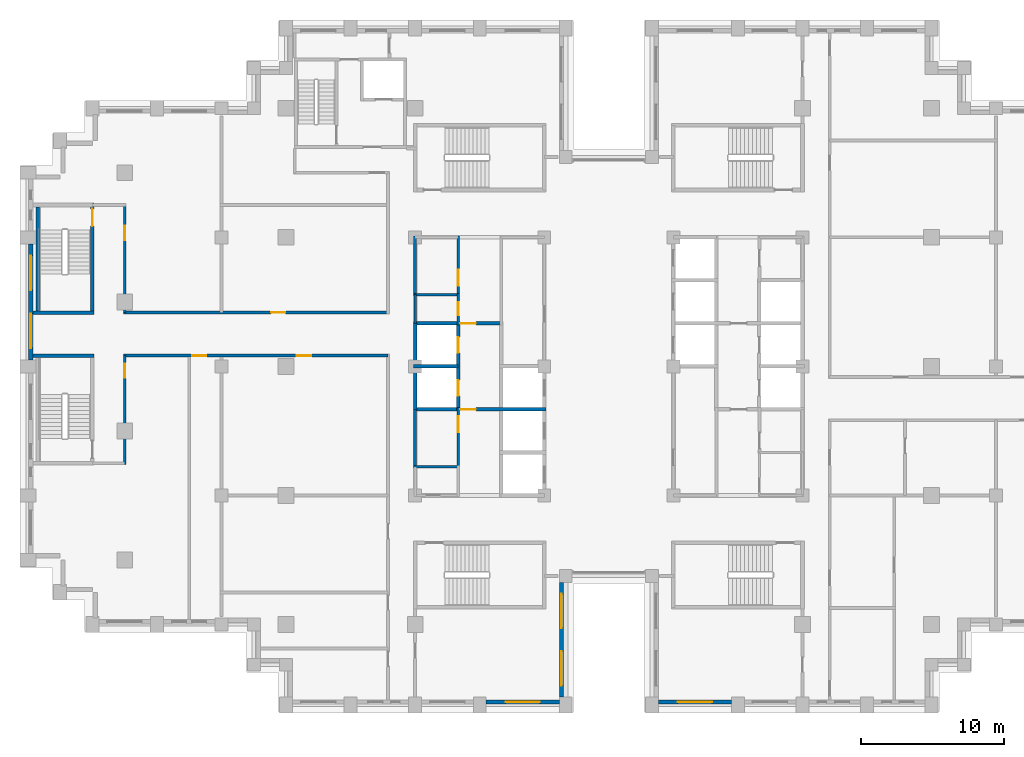
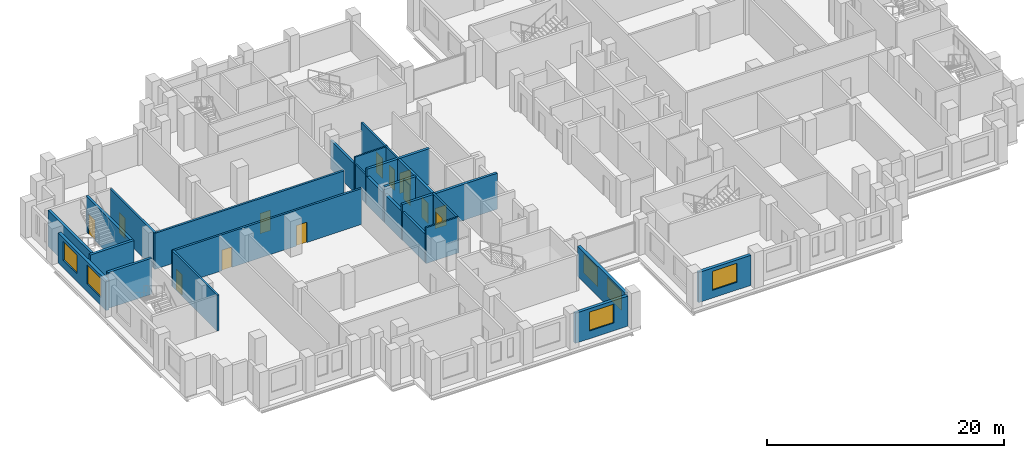
# One storey, part 7 of 15: 25 walls, 13 doors, 6 windows, 19 openings.
"""IFC4 building model written with IfcOpenShell, lengths in metres."""

from ifc_helpers import new_model, si_unit, direction, frame, frame_2d, origin, place, context, subcontext, project, spatial, rectangle, extrude, material, layer, layer_set, type_object, element, fill, save


model = new_model("IFC4")

# Units and contexts
model_context = context("Model", 3, precision=1e-05, world=origin(), true_north=direction((0.0, 1.0)))
body_context = subcontext(model_context, "Body", "Model", "MODEL_VIEW")
ifc_project = project(units=[si_unit("LENGTHUNIT", "METRE"), si_unit("AREAUNIT", "SQUARE_METRE"), si_unit("VOLUMEUNIT", "CUBIC_METRE"), si_unit("PLANEANGLEUNIT", "RADIAN"), si_unit("MASSUNIT", "GRAM", prefix="KILO")], contexts=[model_context])

# Site, building, storey
site_placement = place(None, origin())
site = spatial("IfcSite", under=ifc_project, at=site_placement, CompositionType="ELEMENT")
building_placement = place(site_placement, origin())
building = spatial("IfcBuilding", under=site, at=building_placement, Name="Corbelhall Arena Tower", CompositionType="ELEMENT")
storey_placement = place(building_placement, frame((0.0, 0.0, 146.0)))
storey = spatial("IfcBuildingStorey", under=building, at=storey_placement, Name="L28", CompositionType="ELEMENT", Elevation=146.0)

# Wall, openings, windows
ifc_material_1 = material(Name="Precast concrete C40/50 with granite facing", Category="masonry")
ifc_layer_1 = layer(ifc_material_1, 0.300048828125)
ifc_layer_set_1 = layer_set([ifc_layer_1], Name="EV-IW1 Infill panel 300")
wall_type_1 = type_object("IfcWallType", Name="EV-IW1 Infill panel 300", PredefinedType="SOLIDWALL", material=ifc_layer_set_1)
wall_1_placement = place(storey_placement, frame((-40.300048828125, 8.550048828125, 0.0), z_axis=(0.0, 0.0, 1.0), x_axis=(0.0, -1.0, 0.0)))
wall_1 = element("IfcWall", 1, at=wall_1_placement, inside=storey, type_object=wall_type_1, Name="Infill panel IW1", PredefinedType="SOLIDWALL", context=body_context, shape_type="SweptSolid", body=[
    extrude(rectangle(XDim=8.10009765625, YDim=0.300048828125, at=frame_2d((4.050048828125, 0.0))), origin(), (0.0, 0.0, 1.0), 3.10009765625),
])
opening_1_placement = place(wall_1_placement, frame((0.824951171875, 0.0, 0.800048828125)))
opening_1 = element("IfcOpeningElement", 2, at=opening_1_placement, cuts=wall_1, Name="Opening WN1", PredefinedType="OPENING", context=body_context, shape_type="SweptSolid", body=[
    extrude(rectangle(XDim=2.39990234375, YDim=1.949951171875, at=frame_2d((1.199951171875, 0.97509765625))), frame((0.0, 0.14990234375, 0.0), z_axis=(0.0, -1.0, 0.0), x_axis=(1.0, 0.0, 0.0)), (0.0, 0.0, 1.0), 0.300048828125),
])
opening_2_placement = place(wall_1_placement, frame((4.875, 0.0, 0.800048828125)))
opening_2 = element("IfcOpeningElement", 3, at=opening_2_placement, cuts=wall_1, Name="Opening WN1", PredefinedType="OPENING", context=body_context, shape_type="SweptSolid", body=[
    extrude(rectangle(XDim=2.39990234375, YDim=1.949951171875, at=frame_2d((1.199951171875, 0.97509765625))), frame((0.0, 0.14990234375, 0.0), z_axis=(0.0, -1.0, 0.0), x_axis=(1.0, 0.0, 0.0)), (0.0, 0.0, 1.0), 0.300048828125),
])
ifc_material_2 = material(Name="Aluminium black anodised", Category="aluminium")
window_type = type_object("IfcWindowType", Name="EV-WN1 Office window", PartitioningType="SINGLE_PANEL", PredefinedType="WINDOW", material=ifc_material_2)
window_1_placement = place(opening_1_placement, origin())
window_1 = element("IfcWindow", 4, at=window_1_placement, inside=storey, type_object=window_type, Name="Window WN1", OverallHeight=1.949951171875, OverallWidth=2.39990234375, PartitioningType="SINGLE_PANEL", PredefinedType="WINDOW", context=body_context, shape_type="SweptSolid", body=[
    extrude(rectangle(XDim=2.39990234375, YDim=1.949951171875, at=frame_2d((1.199951171875, 0.97509765625))), frame((0.0, 0.030029296875, 0.0), z_axis=(0.0, -1.0, 0.0), x_axis=(1.0, 0.0, 0.0)), (0.0, 0.0, 1.0), 0.06005859375),
])
fill(opening_1, window_1)
window_2_placement = place(opening_2_placement, origin())
window_2 = element("IfcWindow", 5, at=window_2_placement, inside=storey, type_object=window_type, Name="Window WN1", OverallHeight=1.949951171875, OverallWidth=2.39990234375, PartitioningType="SINGLE_PANEL", PredefinedType="WINDOW", context=body_context, shape_type="SweptSolid", body=[
    extrude(rectangle(XDim=2.39990234375, YDim=1.949951171875, at=frame_2d((1.199951171875, 0.97509765625))), frame((0.0, 0.030029296875, 0.0), z_axis=(0.0, -1.0, 0.0), x_axis=(1.0, 0.0, 0.0)), (0.0, 0.0, 1.0), 0.06005859375),
])
fill(opening_2, window_2)

# Wall, opening, window
wall_2_placement = place(storey_placement, frame((-8.550048828125, -23.39990234375, 0.0), z_axis=(0.0, 0.0, 1.0), x_axis=(1.0, 0.0, 0.0)))
wall_2 = element("IfcWall", 6, at=wall_2_placement, inside=storey, type_object=wall_type_1, Name="Infill panel IW1", PredefinedType="SOLIDWALL", context=body_context, shape_type="SweptSolid", body=[
    extrude(rectangle(XDim=5.10009765625, YDim=0.300048828125, at=frame_2d((2.550048828125, 0.0))), origin(), (0.0, 0.0, 1.0), 3.10009765625),
])
opening_3_placement = place(wall_2_placement, frame((1.35009765625, 0.0, 0.800048828125)))
opening_3 = element("IfcOpeningElement", 7, at=opening_3_placement, cuts=wall_2, Name="Opening WN1", PredefinedType="OPENING", context=body_context, shape_type="SweptSolid", body=[
    extrude(rectangle(XDim=2.39990234375, YDim=1.949951171875, at=frame_2d((1.199951171875, 0.97509765625))), frame((0.0, 0.14990234375, 0.0), z_axis=(0.0, -1.0, 0.0), x_axis=(1.0, 0.0, 0.0)), (0.0, 0.0, 1.0), 0.300048828125),
])
window_3_placement = place(opening_3_placement, origin())
window_3 = element("IfcWindow", 8, at=window_3_placement, inside=storey, type_object=window_type, Name="Window WN1", OverallHeight=1.949951171875, OverallWidth=2.39990234375, PartitioningType="SINGLE_PANEL", PredefinedType="WINDOW", context=body_context, shape_type="SweptSolid", body=[
    extrude(rectangle(XDim=2.39990234375, YDim=1.949951171875, at=frame_2d((1.199951171875, 0.97509765625))), frame((0.0, 0.030029296875, 0.0), z_axis=(0.0, -1.0, 0.0), x_axis=(1.0, 0.0, 0.0)), (0.0, 0.0, 1.0), 0.06005859375),
])
fill(opening_3, window_3)

# Wall, openings, windows
wall_3_placement = place(storey_placement, frame((-3.300048828125, -23.050048828125, 0.0), z_axis=(0.0, 0.0, 1.0), x_axis=(0.0, 1.0, 0.0)))
wall_3 = element("IfcWall", 9, at=wall_3_placement, inside=storey, type_object=wall_type_1, Name="Infill panel IW1", PredefinedType="SOLIDWALL", context=body_context, shape_type="SweptSolid", body=[
    extrude(rectangle(XDim=8.0, YDim=0.300048828125, at=frame_2d((4.0, 0.0))), origin(), (0.0, 0.0, 1.0), 3.10009765625),
])
opening_4_placement = place(wall_3_placement, frame((0.800048828125, 0.0, 0.800048828125)))
opening_4 = element("IfcOpeningElement", 10, at=opening_4_placement, cuts=wall_3, Name="Opening WN1", PredefinedType="OPENING", context=body_context, shape_type="SweptSolid", body=[
    extrude(rectangle(XDim=2.39990234375, YDim=1.949951171875, at=frame_2d((1.199951171875, 0.97509765625))), frame((0.0, 0.14990234375, 0.0), z_axis=(0.0, -1.0, 0.0), x_axis=(1.0, 0.0, 0.0)), (0.0, 0.0, 1.0), 0.300048828125),
])
opening_5_placement = place(wall_3_placement, frame((4.800048828125, 0.0, 0.800048828125)))
opening_5 = element("IfcOpeningElement", 11, at=opening_5_placement, cuts=wall_3, Name="Opening WN1", PredefinedType="OPENING", context=body_context, shape_type="SweptSolid", body=[
    extrude(rectangle(XDim=2.39990234375, YDim=1.949951171875, at=frame_2d((1.199951171875, 0.97509765625))), frame((0.0, 0.14990234375, 0.0), z_axis=(0.0, -1.0, 0.0), x_axis=(1.0, 0.0, 0.0)), (0.0, 0.0, 1.0), 0.300048828125),
])
window_4_placement = place(opening_4_placement, origin())
window_4 = element("IfcWindow", 12, at=window_4_placement, inside=storey, type_object=window_type, Name="Window WN1", OverallHeight=1.949951171875, OverallWidth=2.39990234375, PartitioningType="SINGLE_PANEL", PredefinedType="WINDOW", context=body_context, shape_type="SweptSolid", body=[
    extrude(rectangle(XDim=2.39990234375, YDim=1.949951171875, at=frame_2d((1.199951171875, 0.97509765625))), frame((0.0, 0.030029296875, 0.0), z_axis=(0.0, -1.0, 0.0), x_axis=(1.0, 0.0, 0.0)), (0.0, 0.0, 1.0), 0.06005859375),
])
fill(opening_4, window_4)
window_5_placement = place(opening_5_placement, origin())
window_5 = element("IfcWindow", 13, at=window_5_placement, inside=storey, type_object=window_type, Name="Window WN1", OverallHeight=1.949951171875, OverallWidth=2.39990234375, PartitioningType="SINGLE_PANEL", PredefinedType="WINDOW", context=body_context, shape_type="SweptSolid", body=[
    extrude(rectangle(XDim=2.39990234375, YDim=1.949951171875, at=frame_2d((1.199951171875, 0.97509765625))), frame((0.0, 0.030029296875, 0.0), z_axis=(0.0, -1.0, 0.0), x_axis=(1.0, 0.0, 0.0)), (0.0, 0.0, 1.0), 0.06005859375),
])
fill(opening_5, window_5)

# Wall, opening, window
wall_4_placement = place(storey_placement, frame((3.449951171875, -23.39990234375, 0.0), z_axis=(0.0, 0.0, 1.0), x_axis=(1.0, 0.0, 0.0)))
wall_4 = element("IfcWall", 14, at=wall_4_placement, inside=storey, type_object=wall_type_1, Name="Infill panel IW1", PredefinedType="SOLIDWALL", context=body_context, shape_type="SweptSolid", body=[
    extrude(rectangle(XDim=5.10009765625, YDim=0.300048828125, at=frame_2d((2.550048828125, 0.0))), origin(), (0.0, 0.0, 1.0), 3.10009765625),
])
opening_6_placement = place(wall_4_placement, frame((1.35009765625, 0.0, 0.800048828125)))
opening_6 = element("IfcOpeningElement", 15, at=opening_6_placement, cuts=wall_4, Name="Opening WN1", PredefinedType="OPENING", context=body_context, shape_type="SweptSolid", body=[
    extrude(rectangle(XDim=2.39990234375, YDim=1.949951171875, at=frame_2d((1.199951171875, 0.97509765625))), frame((0.0, 0.14990234375, 0.0), z_axis=(0.0, -1.0, 0.0), x_axis=(1.0, 0.0, 0.0)), (0.0, 0.0, 1.0), 0.300048828125),
])
window_6_placement = place(opening_6_placement, origin())
window_6 = element("IfcWindow", 16, at=window_6_placement, inside=storey, type_object=window_type, Name="Window WN1", OverallHeight=1.949951171875, OverallWidth=2.39990234375, PartitioningType="SINGLE_PANEL", PredefinedType="WINDOW", context=body_context, shape_type="SweptSolid", body=[
    extrude(rectangle(XDim=2.39990234375, YDim=1.949951171875, at=frame_2d((1.199951171875, 0.97509765625))), frame((0.0, 0.030029296875, 0.0), z_axis=(0.0, -1.0, 0.0), x_axis=(1.0, 0.0, 0.0)), (0.0, 0.0, 1.0), 0.06005859375),
])
fill(opening_6, window_6)

# Wall, opening, door
ifc_material_3 = material(Name="Gypsum board on steel stud, acoustic", Category="steel")
ifc_layer_2 = layer(ifc_material_3, 0.199951171875)
ifc_layer_set_2 = layer_set([ifc_layer_2], Name="IN-W-DM200")
wall_type_2 = type_object("IfcWallType", Name="IN-W-DM200", PredefinedType="PARTITIONING", material=ifc_layer_set_2)
wall_5_placement = place(storey_placement, frame((-33.85009765625, 3.75, 0.0), z_axis=(0.0, 0.0, 1.0), x_axis=(1.0, 0.0, 0.0)))
wall_5 = element("IfcWall", 17, at=wall_5_placement, inside=storey, type_object=wall_type_2, Name="Partition 002", PredefinedType="PARTITIONING", context=body_context, shape_type="SweptSolid", body=[
    extrude(rectangle(XDim=18.4501953125, YDim=0.199951171875, at=frame_2d((9.22509765625, 0.0))), origin(), (0.0, 0.0, 1.0), 3.699951171875),
])
opening_7_placement = place(wall_5_placement, frame((10.300048828125, 0.0, 0.0)))
opening_7 = element("IfcOpeningElement", 18, at=opening_7_placement, cuts=wall_5, Name="Opening 07026", PredefinedType="OPENING", context=body_context, shape_type="SweptSolid", body=[
    extrude(rectangle(XDim=1.0, YDim=2.10009765625, at=frame_2d((0.5, 1.050048828125))), frame((0.0, 0.10009765625, 0.0), z_axis=(0.0, -1.0, 0.0), x_axis=(1.0, 0.0, 0.0)), (0.0, 0.0, 1.0), 0.199951171875),
])
ifc_material_4 = material(Name="Steel door set", Category="steel")
door_type_1 = type_object("IfcDoorType", Name="IN-D-SW100", OperationType="NOTDEFINED", PredefinedType="DOOR", material=ifc_material_4)
door_1_placement = place(opening_7_placement, origin())
door_1 = element("IfcDoor", 19, at=door_1_placement, inside=storey, type_object=door_type_1, Name="Door 026", OperationType="SINGLE_SWING_LEFT", OverallHeight=2.10009765625, OverallWidth=1.0, PredefinedType="DOOR", context=body_context, shape_type="SweptSolid", body=[
    extrude(rectangle(XDim=1.0, YDim=2.10009765625, at=frame_2d((0.5, 1.050048828125))), frame((0.0, 0.02490234375, 0.0), z_axis=(0.0, -1.0, 0.0), x_axis=(1.0, 0.0, 0.0)), (0.0, 0.0, 1.0), 0.050048828125),
])
fill(opening_7, door_1)

wall_6_placement = place(storey_placement, frame((-33.75, 0.75, 0.0), z_axis=(0.0, 0.0, 1.0), x_axis=(0.0, -1.0, 0.0)))
wall_6 = element("IfcWall", 20, at=wall_6_placement, inside=storey, type_object=wall_type_2, Name="Partition 004", PredefinedType="PARTITIONING", context=body_context, shape_type="SweptSolid", body=[
    extrude(rectangle(XDim=7.60009765625, YDim=0.199951171875, at=frame_2d((3.800048828125, 0.0))), origin(), (0.0, 0.0, 1.0), 3.699951171875),
])
opening_8_placement = place(wall_6_placement, frame((0.550048828125, 0.0, 0.0)))
opening_8 = element("IfcOpeningElement", 21, at=opening_8_placement, cuts=wall_6, Name="Opening 07041", PredefinedType="OPENING", context=body_context, shape_type="SweptSolid", body=[
    extrude(rectangle(XDim=1.0, YDim=2.10009765625, at=frame_2d((0.5, 1.050048828125))), frame((0.0, 0.10009765625, 0.0), z_axis=(0.0, -1.0, 0.0), x_axis=(1.0, 0.0, 0.0)), (0.0, 0.0, 1.0), 0.199951171875),
])
door_2_placement = place(opening_8_placement, origin())
door_2 = element("IfcDoor", 22, at=door_2_placement, inside=storey, type_object=door_type_1, Name="Door 041", OperationType="SINGLE_SWING_RIGHT", OverallHeight=2.10009765625, OverallWidth=1.0, PredefinedType="DOOR", context=body_context, shape_type="SweptSolid", body=[
    extrude(rectangle(XDim=1.0, YDim=2.10009765625, at=frame_2d((0.5, 1.050048828125))), frame((0.0, 0.02490234375, 0.0), z_axis=(0.0, -1.0, 0.0), x_axis=(1.0, 0.0, 0.0)), (0.0, 0.0, 1.0), 0.050048828125),
])
fill(opening_8, door_2)

wall_7_placement = place(storey_placement, frame((-33.75, 11.25, 0.0), z_axis=(0.0, 0.0, 1.0), x_axis=(0.0, -1.0, 0.0)))
wall_7 = element("IfcWall", 23, at=wall_7_placement, inside=storey, type_object=wall_type_2, Name="Partition 005", PredefinedType="PARTITIONING", context=body_context, shape_type="SweptSolid", body=[
    extrude(rectangle(XDim=7.5, YDim=0.199951171875, at=frame_2d((3.75, 0.0))), origin(), (0.0, 0.0, 1.0), 3.699951171875),
])
opening_9_placement = place(wall_7_placement, frame((1.449951171875, 0.0, 0.0)))
opening_9 = element("IfcOpeningElement", 24, at=opening_9_placement, cuts=wall_7, Name="Opening 07040", PredefinedType="OPENING", context=body_context, shape_type="SweptSolid", body=[
    extrude(rectangle(XDim=1.0, YDim=2.10009765625, at=frame_2d((0.5, 1.050048828125))), frame((0.0, 0.10009765625, 0.0), z_axis=(0.0, -1.0, 0.0), x_axis=(1.0, 0.0, 0.0)), (0.0, 0.0, 1.0), 0.199951171875),
])
door_3_placement = place(opening_9_placement, origin())
door_3 = element("IfcDoor", 25, at=door_3_placement, inside=storey, type_object=door_type_1, Name="Door 040", OperationType="SINGLE_SWING_LEFT", OverallHeight=2.10009765625, OverallWidth=1.0, PredefinedType="DOOR", context=body_context, shape_type="SweptSolid", body=[
    extrude(rectangle(XDim=1.0, YDim=2.10009765625, at=frame_2d((0.5, 1.050048828125))), frame((0.0, 0.02490234375, 0.0), z_axis=(0.0, -1.0, 0.0), x_axis=(1.0, 0.0, 0.0)), (0.0, 0.0, 1.0), 0.050048828125),
])
fill(opening_9, door_3)

# Wall, openings, doors
wall_8_placement = place(storey_placement, frame((-15.39990234375, 0.75, 0.0), z_axis=(0.0, 0.0, 1.0), x_axis=(-1.0, 0.0, 0.0)))
wall_8 = element("IfcWall", 26, at=wall_8_placement, inside=storey, type_object=wall_type_2, Name="Partition 007", PredefinedType="PARTITIONING", context=body_context, shape_type="SweptSolid", body=[
    extrude(rectangle(XDim=18.4501953125, YDim=0.199951171875, at=frame_2d((9.22509765625, 0.0))), origin(), (0.0, 0.0, 1.0), 3.699951171875),
])
opening_10_placement = place(wall_8_placement, frame((5.35009765625, 0.0, 0.0)))
opening_10 = element("IfcOpeningElement", 27, at=opening_10_placement, cuts=wall_8, Name="Opening 07031", PredefinedType="OPENING", context=body_context, shape_type="SweptSolid", body=[
    extrude(rectangle(XDim=1.0, YDim=2.10009765625, at=frame_2d((0.5, 1.050048828125))), frame((0.0, 0.10009765625, 0.0), z_axis=(0.0, -1.0, 0.0), x_axis=(1.0, 0.0, 0.0)), (0.0, 0.0, 1.0), 0.199951171875),
])
opening_11_placement = place(wall_8_placement, frame((12.64990234375, 0.0, 0.0)))
opening_11 = element("IfcOpeningElement", 28, at=opening_11_placement, cuts=wall_8, Name="Opening 07042", PredefinedType="OPENING", context=body_context, shape_type="SweptSolid", body=[
    extrude(rectangle(XDim=1.0, YDim=2.10009765625, at=frame_2d((0.5, 1.050048828125))), frame((0.0, 0.10009765625, 0.0), z_axis=(0.0, -1.0, 0.0), x_axis=(1.0, 0.0, 0.0)), (0.0, 0.0, 1.0), 0.199951171875),
])
door_4_placement = place(opening_10_placement, origin())
door_4 = element("IfcDoor", 29, at=door_4_placement, inside=storey, type_object=door_type_1, Name="Door 031", OperationType="SINGLE_SWING_RIGHT", OverallHeight=2.10009765625, OverallWidth=1.0, PredefinedType="DOOR", context=body_context, shape_type="SweptSolid", body=[
    extrude(rectangle(XDim=1.0, YDim=2.10009765625, at=frame_2d((0.5, 1.050048828125))), frame((0.0, 0.02490234375, 0.0), z_axis=(0.0, -1.0, 0.0), x_axis=(1.0, 0.0, 0.0)), (0.0, 0.0, 1.0), 0.050048828125),
])
fill(opening_10, door_4)
door_5_placement = place(opening_11_placement, origin())
door_5 = element("IfcDoor", 30, at=door_5_placement, inside=storey, type_object=door_type_1, Name="Door 042", OperationType="SINGLE_SWING_LEFT", OverallHeight=2.10009765625, OverallWidth=1.0, PredefinedType="DOOR", context=body_context, shape_type="SweptSolid", body=[
    extrude(rectangle(XDim=1.0, YDim=2.10009765625, at=frame_2d((0.5, 1.050048828125))), frame((0.0, 0.02490234375, 0.0), z_axis=(0.0, -1.0, 0.0), x_axis=(1.0, 0.0, 0.0)), (0.0, 0.0, 1.0), 0.050048828125),
])
fill(opening_11, door_5)

# Wall, opening, door
ifc_material_5 = material(Name="Concrete block wall", Category="concrete")
ifc_layer_3 = layer(ifc_material_5, 0.199951171875)
ifc_layer_set_3 = layer_set([ifc_layer_3], Name="IN-W-RS200")
wall_type_3 = type_object("IfcWallType", Name="IN-W-RS200", PredefinedType="SOLIDWALL", material=ifc_layer_set_3)
wall_9_placement = place(storey_placement, frame((-10.5, -7.074951171875, 0.0), z_axis=(0.0, 0.0, 1.0), x_axis=(0.0, 1.0, 0.0)))
wall_9 = element("IfcWall", 31, at=wall_9_placement, inside=storey, type_object=wall_type_3, Name="Partition 049", PredefinedType="SOLIDWALL", context=body_context, shape_type="SweptSolid", body=[
    extrude(rectangle(XDim=4.199951171875, YDim=0.199951171875, at=frame_2d((2.10009765625, 0.0))), origin(), (0.0, 0.0, 1.0), 3.699951171875),
])
opening_12_placement = place(wall_9_placement, frame((2.5, 0.0, 0.0)))
opening_12 = element("IfcOpeningElement", 32, at=opening_12_placement, cuts=wall_9, Name="Opening 07005", PredefinedType="OPENING", context=body_context, shape_type="SweptSolid", body=[
    extrude(rectangle(XDim=1.10009765625, YDim=2.10009765625, at=frame_2d((0.550048828125, 1.050048828125))), frame((0.0, 0.10009765625, 0.0), z_axis=(0.0, -1.0, 0.0), x_axis=(1.0, 0.0, 0.0)), (0.0, 0.0, 1.0), 0.199951171875),
])
door_type_2 = type_object("IfcDoorType", Name="IN-D-FD110", OperationType="NOTDEFINED", PredefinedType="DOOR", material=ifc_material_4)
door_6_placement = place(opening_12_placement, origin())
door_6 = element("IfcDoor", 33, at=door_6_placement, inside=storey, type_object=door_type_2, Name="Door 005", OperationType="SINGLE_SWING_RIGHT", OverallHeight=2.10009765625, OverallWidth=1.10009765625, PredefinedType="DOOR", context=body_context, shape_type="SweptSolid", body=[
    extrude(rectangle(XDim=1.10009765625, YDim=2.10009765625, at=frame_2d((0.550048828125, 1.050048828125))), frame((0.0, 0.02490234375, 0.0), z_axis=(0.0, -1.0, 0.0), x_axis=(1.0, 0.0, 0.0)), (0.0, 0.0, 1.0), 0.050048828125),
])
fill(opening_12, door_6)

wall_10_placement = place(storey_placement, frame((-10.5, 4.925048828125, 0.0), z_axis=(0.0, 0.0, 1.0), x_axis=(0.0, 1.0, 0.0)))
wall_10 = element("IfcWall", 34, at=wall_10_placement, inside=storey, type_object=wall_type_3, Name="Partition 050", PredefinedType="SOLIDWALL", context=body_context, shape_type="SweptSolid", body=[
    extrude(rectangle(XDim=4.175048828125, YDim=0.199951171875, at=frame_2d((2.08740234375, 0.0))), origin(), (0.0, 0.0, 1.0), 3.699951171875),
])
opening_13_placement = place(wall_10_placement, frame((0.699951171875, 0.0, 0.0)))
opening_13 = element("IfcOpeningElement", 35, at=opening_13_placement, cuts=wall_10, Name="Opening 07007", PredefinedType="OPENING", context=body_context, shape_type="SweptSolid", body=[
    extrude(rectangle(XDim=1.10009765625, YDim=2.10009765625, at=frame_2d((0.550048828125, 1.050048828125))), frame((0.0, 0.10009765625, 0.0), z_axis=(0.0, -1.0, 0.0), x_axis=(1.0, 0.0, 0.0)), (0.0, 0.0, 1.0), 0.199951171875),
])
door_7_placement = place(opening_13_placement, origin())
door_7 = element("IfcDoor", 36, at=door_7_placement, inside=storey, type_object=door_type_2, Name="Door 007", OperationType="SINGLE_SWING_RIGHT", OverallHeight=2.10009765625, OverallWidth=1.10009765625, PredefinedType="DOOR", context=body_context, shape_type="SweptSolid", body=[
    extrude(rectangle(XDim=1.10009765625, YDim=2.10009765625, at=frame_2d((0.550048828125, 1.050048828125))), frame((0.0, 0.02490234375, 0.0), z_axis=(0.0, -1.0, 0.0), x_axis=(1.0, 0.0, 0.0)), (0.0, 0.0, 1.0), 0.050048828125),
])
fill(opening_13, door_7)

# Walls
ifc_layer_4 = layer(ifc_material_5, 0.199951171875)
ifc_layer_set_4 = layer_set([ifc_layer_4], Name="IN-W-RS200 under beam 762 mm")
wall_type_4 = type_object("IfcWallType", Name="IN-W-RS200 under beam 762 mm", PredefinedType="SOLIDWALL", material=ifc_layer_set_4)
wall_11_placement = place(storey_placement, frame((-13.5, -7.0, 0.0), z_axis=(0.0, 0.0, 1.0), x_axis=(0.0, 1.0, 0.0)))
element("IfcWall", 37, at=wall_11_placement, inside=storey, type_object=wall_type_4, Name="Partition 046", PredefinedType="SOLIDWALL", context=body_context, shape_type="SweptSolid", body=[
    extrude(rectangle(XDim=4.0, YDim=0.199951171875, at=frame_2d((2.0, 0.0))), origin(), (0.0, 0.0, 1.0), 2.93798828125),
])
wall_12_placement = place(storey_placement, frame((-13.5, 5.0, 0.0), z_axis=(0.0, 0.0, 1.0), x_axis=(0.0, 1.0, 0.0)))
element("IfcWall", 38, at=wall_12_placement, inside=storey, type_object=wall_type_4, Name="Partition 047", PredefinedType="SOLIDWALL", context=body_context, shape_type="SweptSolid", body=[
    extrude(rectangle(XDim=4.10009765625, YDim=0.199951171875, at=frame_2d((2.050048828125, 0.0))), origin(), (0.0, 0.0, 1.0), 2.93798828125),
])
ifc_material_6 = material(Name="Concrete C40/50", Category="concrete")
ifc_layer_5 = layer(ifc_material_6, 0.25)
ifc_layer_set_5 = layer_set([ifc_layer_5], Name="IN-W-SH250")
wall_type_5 = type_object("IfcWallType", Name="IN-W-SH250", PredefinedType="SOLIDWALL", material=ifc_layer_set_5)
wall_13_placement = place(storey_placement, frame((-13.625, 0.0, 0.0), z_axis=(0.0, 0.0, 1.0), x_axis=(1.0, 0.0, 0.0)))
element("IfcWall", 39, at=wall_13_placement, inside=storey, type_object=wall_type_5, Name="Shaft wall 062", PredefinedType="SOLIDWALL", context=body_context, shape_type="SweptSolid", body=[
    extrude(rectangle(XDim=3.125, YDim=0.25, at=frame_2d((1.5625, 0.0))), origin(), (0.0, 0.0, 1.0), 3.699951171875),
])

# Wall, opening, door
wall_14_placement = place(storey_placement, frame((-13.625, 3.0, 0.0), z_axis=(0.0, 0.0, 1.0), x_axis=(1.0, 0.0, 0.0)))
wall_14 = element("IfcWall", 40, at=wall_14_placement, inside=storey, type_object=wall_type_5, Name="Shaft wall 063", PredefinedType="SOLIDWALL", context=body_context, shape_type="SweptSolid", body=[
    extrude(rectangle(XDim=6.125, YDim=0.25, at=frame_2d((3.0625, 0.0))), origin(), (0.0, 0.0, 1.0), 3.699951171875),
])
opening_14_placement = place(wall_14_placement, frame((3.25, 0.0, 0.0)))
opening_14 = element("IfcOpeningElement", 41, at=opening_14_placement, cuts=wall_14, Name="Opening 07003", PredefinedType="OPENING", context=body_context, shape_type="SweptSolid", body=[
    extrude(rectangle(XDim=1.10009765625, YDim=2.10009765625, at=frame_2d((0.550048828125, 1.050048828125))), frame((0.0, 0.125, 0.0), z_axis=(0.0, -1.0, 0.0), x_axis=(1.0, 0.0, 0.0)), (0.0, 0.0, 1.0), 0.25),
])
door_8_placement = place(opening_14_placement, origin())
door_8 = element("IfcDoor", 42, at=door_8_placement, inside=storey, type_object=door_type_2, Name="Door 003", OperationType="SINGLE_SWING_RIGHT", OverallHeight=2.10009765625, OverallWidth=1.10009765625, PredefinedType="DOOR", context=body_context, shape_type="SweptSolid", body=[
    extrude(rectangle(XDim=1.10009765625, YDim=2.10009765625, at=frame_2d((0.550048828125, 1.050048828125))), frame((0.0, 0.02490234375, 0.0), z_axis=(0.0, -1.0, 0.0), x_axis=(1.0, 0.0, 0.0)), (0.0, 0.0, 1.0), 0.050048828125),
])
fill(opening_14, door_8)

wall_15_placement = place(storey_placement, frame((-13.625, -3.0, 0.0), z_axis=(0.0, 0.0, 1.0), x_axis=(1.0, 0.0, 0.0)))
wall_15 = element("IfcWall", 43, at=wall_15_placement, inside=storey, type_object=wall_type_5, Name="Shaft wall 065", PredefinedType="SOLIDWALL", context=body_context, shape_type="SweptSolid", body=[
    extrude(rectangle(XDim=9.25, YDim=0.25, at=frame_2d((4.625, 0.0))), origin(), (0.0, 0.0, 1.0), 3.699951171875),
])
opening_15_placement = place(wall_15_placement, frame((3.25, 0.0, 0.0)))
opening_15 = element("IfcOpeningElement", 44, at=opening_15_placement, cuts=wall_15, Name="Opening 07002", PredefinedType="OPENING", context=body_context, shape_type="SweptSolid", body=[
    extrude(rectangle(XDim=1.10009765625, YDim=2.10009765625, at=frame_2d((0.550048828125, 1.050048828125))), frame((0.0, 0.125, 0.0), z_axis=(0.0, -1.0, 0.0), x_axis=(1.0, 0.0, 0.0)), (0.0, 0.0, 1.0), 0.25),
])
door_9_placement = place(opening_15_placement, origin())
door_9 = element("IfcDoor", 45, at=door_9_placement, inside=storey, type_object=door_type_2, Name="Door 002", OperationType="SINGLE_SWING_LEFT", OverallHeight=2.10009765625, OverallWidth=1.10009765625, PredefinedType="DOOR", context=body_context, shape_type="SweptSolid", body=[
    extrude(rectangle(XDim=1.10009765625, YDim=2.10009765625, at=frame_2d((0.550048828125, 1.050048828125))), frame((0.0, 0.02490234375, 0.0), z_axis=(0.0, -1.0, 0.0), x_axis=(1.0, 0.0, 0.0)), (0.0, 0.0, 1.0), 0.050048828125),
])
fill(opening_15, door_9)

# Wall, openings, doors
wall_16_placement = place(storey_placement, frame((-10.5, -3.125, 0.0), z_axis=(0.0, 0.0, 1.0), x_axis=(0.0, 1.0, 0.0)))
wall_16 = element("IfcWall", 46, at=wall_16_placement, inside=storey, type_object=wall_type_5, Name="Shaft wall 066", PredefinedType="SOLIDWALL", context=body_context, shape_type="SweptSolid", body=[
    extrude(rectangle(XDim=6.25, YDim=0.25, at=frame_2d((3.125, 0.0))), origin(), (0.0, 0.0, 1.0), 3.699951171875),
])
opening_16_placement = place(wall_16_placement, frame((1.074951171875, 0.0, 0.0)))
opening_16 = element("IfcOpeningElement", 47, at=opening_16_placement, cuts=wall_16, Name="Opening LD", PredefinedType="OPENING", context=body_context, shape_type="SweptSolid", body=[
    extrude(rectangle(XDim=1.10009765625, YDim=2.10009765625, at=frame_2d((0.550048828125, 1.050048828125))), frame((0.0, 0.125, 0.0), z_axis=(0.0, -1.0, 0.0), x_axis=(1.0, 0.0, 0.0)), (0.0, 0.0, 1.0), 0.25),
])
opening_17_placement = place(wall_16_placement, frame((4.074951171875, 0.0, 0.0)))
opening_17 = element("IfcOpeningElement", 48, at=opening_17_placement, cuts=wall_16, Name="Opening LD", PredefinedType="OPENING", context=body_context, shape_type="SweptSolid", body=[
    extrude(rectangle(XDim=1.10009765625, YDim=2.10009765625, at=frame_2d((0.550048828125, 1.050048828125))), frame((0.0, 0.125, 0.0), z_axis=(0.0, -1.0, 0.0), x_axis=(1.0, 0.0, 0.0)), (0.0, 0.0, 1.0), 0.25),
])
door_type_3 = type_object("IfcDoorType", Name="IN-D-LD110", OperationType="NOTDEFINED", PredefinedType="DOOR", material=ifc_material_4)
door_10_placement = place(opening_16_placement, origin())
door_10 = element("IfcDoor", 49, at=door_10_placement, inside=storey, type_object=door_type_3, Name="Landing door W3", OperationType="SLIDING_TO_LEFT", OverallHeight=2.10009765625, OverallWidth=1.10009765625, PredefinedType="DOOR", context=body_context, shape_type="SweptSolid", body=[
    extrude(rectangle(XDim=1.10009765625, YDim=2.10009765625, at=frame_2d((0.550048828125, 1.050048828125))), frame((0.0, 0.02490234375, 0.0), z_axis=(0.0, -1.0, 0.0), x_axis=(1.0, 0.0, 0.0)), (0.0, 0.0, 1.0), 0.050048828125),
])
fill(opening_16, door_10)
door_11_placement = place(opening_17_placement, origin())
door_11 = element("IfcDoor", 50, at=door_11_placement, inside=storey, type_object=door_type_3, Name="Landing door W4", OperationType="SLIDING_TO_LEFT", OverallHeight=2.10009765625, OverallWidth=1.10009765625, PredefinedType="DOOR", context=body_context, shape_type="SweptSolid", body=[
    extrude(rectangle(XDim=1.10009765625, YDim=2.10009765625, at=frame_2d((0.550048828125, 1.050048828125))), frame((0.0, 0.02490234375, 0.0), z_axis=(0.0, -1.0, 0.0), x_axis=(1.0, 0.0, 0.0)), (0.0, 0.0, 1.0), 0.050048828125),
])
fill(opening_17, door_11)

# Walls
ifc_layer_6 = layer(ifc_material_6, 0.25)
ifc_layer_set_6 = layer_set([ifc_layer_6], Name="IN-W-SH250 under beam 762 mm")
wall_type_6 = type_object("IfcWallType", Name="IN-W-SH250 under beam 762 mm", PredefinedType="SOLIDWALL", material=ifc_layer_set_6)
wall_17_placement = place(storey_placement, frame((-13.5, -3.0, 0.0), z_axis=(0.0, 0.0, 1.0), x_axis=(0.0, 1.0, 0.0)))
element("IfcWall", 51, at=wall_17_placement, inside=storey, type_object=wall_type_6, Name="Shaft wall 064", PredefinedType="SOLIDWALL", context=body_context, shape_type="SweptSolid", body=[
    extrude(rectangle(XDim=6.0, YDim=0.25, at=frame_2d((3.0, 0.0))), origin(), (0.0, 0.0, 1.0), 2.93798828125),
])
ifc_layer_7 = layer(ifc_material_6, 0.25)
ifc_layer_set_7 = layer_set([ifc_layer_7], Name="IN-W-ST250")
wall_type_7 = type_object("IfcWallType", Name="IN-W-ST250", PredefinedType="SOLIDWALL", material=ifc_layer_set_7)
wall_18_placement = place(storey_placement, frame((-40.14990234375, 3.75, 0.0), z_axis=(0.0, 0.0, 1.0), x_axis=(1.0, 0.0, 0.0)))
element("IfcWall", 52, at=wall_18_placement, inside=storey, type_object=wall_type_7, Name="Shaft wall 083", PredefinedType="SOLIDWALL", context=body_context, shape_type="SweptSolid", body=[
    extrude(rectangle(XDim=4.27490234375, YDim=0.25, at=frame_2d((2.137451171875, 0.0))), origin(), (0.0, 0.0, 1.0), 3.699951171875),
])

# Wall, opening, door
wall_19_placement = place(storey_placement, frame((-36.0, 11.375, 0.0), z_axis=(0.0, 0.0, 1.0), x_axis=(0.0, -1.0, 0.0)))
wall_19 = element("IfcWall", 53, at=wall_19_placement, inside=storey, type_object=wall_type_7, Name="Shaft wall 087", PredefinedType="SOLIDWALL", context=body_context, shape_type="SweptSolid", body=[
    extrude(rectangle(XDim=7.625, YDim=0.25, at=frame_2d((3.8125, 0.0))), origin(), (0.0, 0.0, 1.0), 3.699951171875),
])
opening_18_placement = place(wall_19_placement, frame((0.39990234375, 0.0, 0.0)))
opening_18 = element("IfcOpeningElement", 54, at=opening_18_placement, cuts=wall_19, Name="Opening 07018", PredefinedType="OPENING", context=body_context, shape_type="SweptSolid", body=[
    extrude(rectangle(XDim=1.199951171875, YDim=2.10009765625, at=frame_2d((0.60009765625, 1.050048828125))), frame((0.0, 0.125, 0.0), z_axis=(0.0, -1.0, 0.0), x_axis=(1.0, 0.0, 0.0)), (0.0, 0.0, 1.0), 0.25),
])
door_type_4 = type_object("IfcDoorType", Name="IN-D-ST120", OperationType="NOTDEFINED", PredefinedType="DOOR", material=ifc_material_4)
door_12_placement = place(opening_18_placement, origin())
door_12 = element("IfcDoor", 55, at=door_12_placement, inside=storey, type_object=door_type_4, Name="Door 018", OperationType="SINGLE_SWING_LEFT", OverallHeight=2.10009765625, OverallWidth=1.199951171875, PredefinedType="DOOR", context=body_context, shape_type="SweptSolid", body=[
    extrude(rectangle(XDim=1.199951171875, YDim=2.10009765625, at=frame_2d((0.60009765625, 1.050048828125))), frame((0.0, 0.02490234375, 0.0), z_axis=(0.0, -1.0, 0.0), x_axis=(1.0, 0.0, 0.0)), (0.0, 0.0, 1.0), 0.050048828125),
])
fill(opening_18, door_12)

# Walls
wall_20_placement = place(storey_placement, frame((-35.875, 0.75, 0.0), z_axis=(0.0, 0.0, 1.0), x_axis=(-1.0, 0.0, 0.0)))
element("IfcWall", 56, at=wall_20_placement, inside=storey, type_object=wall_type_7, Name="Shaft wall 088", PredefinedType="SOLIDWALL", context=body_context, shape_type="SweptSolid", body=[
    extrude(rectangle(XDim=4.27490234375, YDim=0.25, at=frame_2d((2.137451171875, 0.0))), origin(), (0.0, 0.0, 1.0), 3.699951171875),
])
wall_21_placement = place(storey_placement, frame((-39.824951171875, 3.875, 0.0), z_axis=(0.0, 0.0, 1.0), x_axis=(0.0, 1.0, 0.0)))
element("IfcWall", 57, at=wall_21_placement, inside=storey, type_object=wall_type_7, Name="Shaft wall SC1 facade side", PredefinedType="SOLIDWALL", context=body_context, shape_type="SweptSolid", body=[
    extrude(rectangle(XDim=7.25, YDim=0.25, at=frame_2d((3.625, 0.0))), origin(), (0.0, 0.0, 1.0), 3.699951171875),
])
ifc_material_7 = material(Name="Gypsum board on steel stud, moisture resistant", Category="steel")
ifc_layer_8 = layer(ifc_material_7, 0.14990234375)
ifc_layer_set_8 = layer_set([ifc_layer_8], Name="IN-W-WC150")
wall_type_8 = type_object("IfcWallType", Name="IN-W-WC150", PredefinedType="PARTITIONING", material=ifc_layer_set_8)
for number, where, z_axis, x_axis, name in (
    (58, (-13.60009765625, -7.0, 0.0), (0.0, 0.0, 1.0), (1.0, 0.0, 0.0), "Partition 111"),
    (59, (-13.60009765625, 5.0, 0.0), (0.0, 0.0, 1.0), (1.0, 0.0, 0.0), "Partition 112"),
):
    element("IfcWall", number, at=place(storey_placement, frame(where, z_axis=z_axis, x_axis=x_axis)), inside=storey, type_object=wall_type_8, Name=name, PredefinedType="PARTITIONING", context=body_context, shape_type="SweptSolid", body=[
        extrude(rectangle(XDim=3.10009765625, YDim=0.14990234375, at=frame_2d((1.550048828125, 0.0))), origin(), (0.0, 0.0, 1.0), 3.699951171875),
    ])

# Wall, opening, door
wall_22_placement = place(storey_placement, frame((-10.5, 2.875, 0.0), z_axis=(0.0, 0.0, 1.0), x_axis=(0.0, 1.0, 0.0)))
wall_22 = element("IfcWall", 60, at=wall_22_placement, inside=storey, type_object=wall_type_8, Name="Partition 117", PredefinedType="PARTITIONING", context=body_context, shape_type="SweptSolid", body=[
    extrude(rectangle(XDim=2.199951171875, YDim=0.14990234375, at=frame_2d((1.10009765625, 0.0))), origin(), (0.0, 0.0, 1.0), 3.699951171875),
])
opening_19_placement = place(wall_22_placement, frame((0.699951171875, 0.0, 0.0)))
opening_19 = element("IfcOpeningElement", 61, at=opening_19_placement, cuts=wall_22, Name="Opening 07006", PredefinedType="OPENING", context=body_context, shape_type="SweptSolid", body=[
    extrude(rectangle(XDim=0.89990234375, YDim=2.10009765625, at=frame_2d((0.449951171875, 1.050048828125))), frame((0.0, 0.074951171875, 0.0), z_axis=(0.0, -1.0, 0.0), x_axis=(1.0, 0.0, 0.0)), (0.0, 0.0, 1.0), 0.14990234375),
])
ifc_material_8 = material(Name="Timber door set", Category="wood")
door_type_5 = type_object("IfcDoorType", Name="IN-D-SW90", OperationType="NOTDEFINED", PredefinedType="DOOR", material=ifc_material_8)
door_13_placement = place(opening_19_placement, origin())
door_13 = element("IfcDoor", 62, at=door_13_placement, inside=storey, type_object=door_type_5, Name="Door 006", OperationType="SINGLE_SWING_LEFT", OverallHeight=2.10009765625, OverallWidth=0.89990234375, PredefinedType="DOOR", context=body_context, shape_type="SweptSolid", body=[
    extrude(rectangle(XDim=0.89990234375, YDim=2.10009765625, at=frame_2d((0.449951171875, 1.050048828125))), frame((0.0, 0.02490234375, 0.0), z_axis=(0.0, -1.0, 0.0), x_axis=(1.0, 0.0, 0.0)), (0.0, 0.0, 1.0), 0.050048828125),
])
fill(opening_19, door_13)

# Wall
ifc_layer_9 = layer(ifc_material_7, 0.14990234375)
ifc_layer_set_9 = layer_set([ifc_layer_9], Name="IN-W-WC150 under beam 762 mm")
wall_type_9 = type_object("IfcWallType", Name="IN-W-WC150 under beam 762 mm", PredefinedType="PARTITIONING", material=ifc_layer_set_9)
wall_23_placement = place(storey_placement, frame((-13.5, 3.0, 0.0), z_axis=(0.0, 0.0, 1.0), x_axis=(0.0, 1.0, 0.0)))
element("IfcWall", 63, at=wall_23_placement, inside=storey, type_object=wall_type_9, Name="Partition 114", PredefinedType="PARTITIONING", context=body_context, shape_type="SweptSolid", body=[
    extrude(rectangle(XDim=2.0, YDim=0.14990234375, at=frame_2d((1.0, 0.0))), origin(), (0.0, 0.0, 1.0), 2.93798828125),
])

save(model, "model.ifc")
